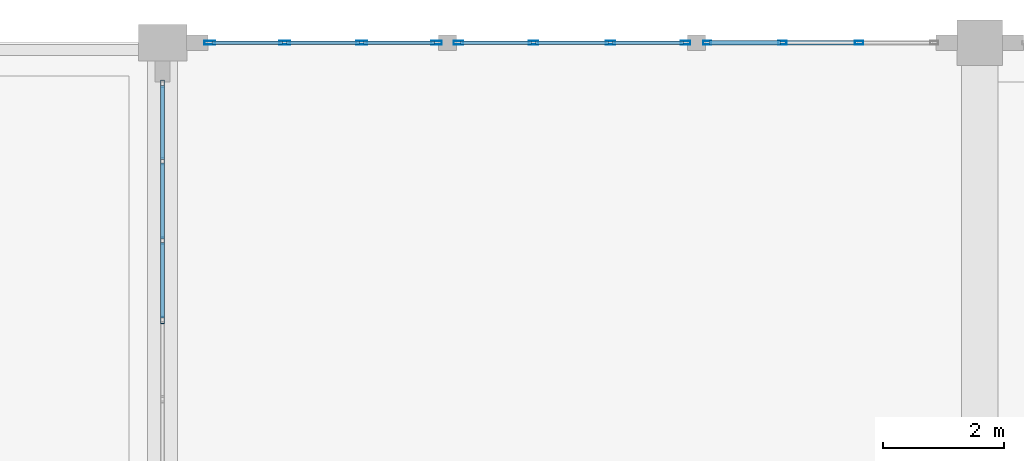
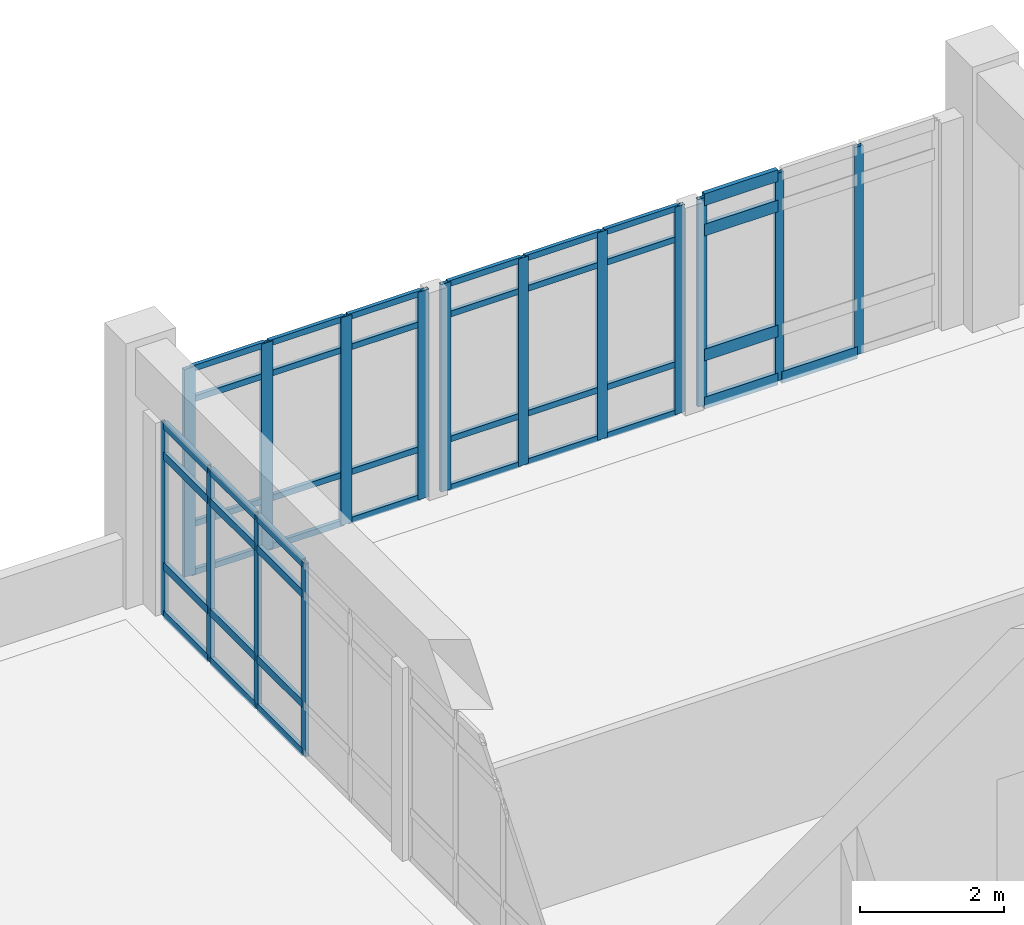
# One storey, part 45 of 109: 56 members, 4 elements without a shape of their own.
"""IFC4 building model written with IfcOpenShell, lengths in metres."""

from ifc_helpers import new_model, si_unit, direction, frame, origin, origin_2d, place, context, subcontext, project, spatial, hollow_rectangle, extrude, material, layer, layer_set, material_profile, profile_set, type_object, element, aggregate, save


model = new_model("IFC4")

# Units and contexts
model_context = context("Model", 3, precision=1e-05, world=origin(), true_north=direction((0.0, 1.0)))
body_context = subcontext(model_context, "Body", "Model", "MODEL_VIEW")
ifc_project = project(units=[si_unit("LENGTHUNIT", "METRE"), si_unit("AREAUNIT", "SQUARE_METRE"), si_unit("VOLUMEUNIT", "CUBIC_METRE"), si_unit("PLANEANGLEUNIT", "RADIAN"), si_unit("MASSUNIT", "GRAM", prefix="KILO")], contexts=[model_context])

# Site, building, storey
site_placement = place(None, origin())
site = spatial("IfcSite", under=ifc_project, at=site_placement, CompositionType="ELEMENT")
building_placement = place(site_placement, origin())
building = spatial("IfcBuilding", under=site, at=building_placement, Name="Fikremerkos Civic Library", CompositionType="ELEMENT")
storey_placement = place(building_placement, frame((0.0, 0.0, 5.39990234375)))
storey = spatial("IfcBuildingStorey", under=building, at=storey_placement, Name="L01", CompositionType="ELEMENT", Elevation=5.39990234375)

# Curtain wall, members
ifc_material = material(Name="Anodized aluminium Frame", Category="aluminium")
ifc_layer_1 = layer(ifc_material, 0.159912109375, Name="Anodized aluminium Frame")
ifc_layer_set_1 = layer_set([ifc_layer_1], Name="Anodized aluminium Frame")
curtain_wall_type_1 = type_object("IfcCurtainWallType", Name="Unitised curtain wall CW-05 3800x4100", PredefinedType="USERDEFINED", material=ifc_layer_set_1)
curtain_wall_1_placement = place(storey_placement, origin())
curtain_wall_1 = element("IfcCurtainWall", 1, at=curtain_wall_1_placement, inside=storey, type_object=curtain_wall_type_1, Name="Unitised curtain wall CW-05 L01 #131", ObjectType="UNITISED CURTAIN WALL", PredefinedType="USERDEFINED")
ifc_material_profile_1 = material_profile(ifc_material, hollow_rectangle(XDim=0.06494140625, YDim=0.179931640625, WallThickness=0.00439453125, at=origin_2d()), Name="ALU 180x65x4.5")
ifc_profile_set_1 = profile_set([ifc_material_profile_1], Name="Anodized aluminium Frame")
member_type_1 = type_object("IfcMemberType", Name="Curtain mullion CWM-01 ALU 180x65x4.5", PredefinedType="MULLION", material=ifc_profile_set_1)
member_1_placement = place(storey_placement, frame((73.98046875, 117.60009765625, 0.0), z_axis=(0.0, 0.0, 1.0), x_axis=(0.0, 1.0, 0.0)))
member_1 = element("IfcMember", 2, at=member_1_placement, type_object=member_type_1, Name="CW-05 mullion 1", PredefinedType="MULLION", context=body_context, shape_type="SweptSolid", body=[
    extrude(hollow_rectangle(XDim=0.06494140625, YDim=0.179931640625, WallThickness=0.00439453125, at=origin_2d()), origin(), (0.0, 0.0, 1.0), 3.517333984375),
])
member_2_placement = place(storey_placement, frame((75.2177734375, 117.60009765625, 0.0), z_axis=(0.0, 0.0, 1.0), x_axis=(0.0, 1.0, 0.0)))
member_2 = element("IfcMember", 3, at=member_2_placement, type_object=member_type_1, Name="CW-05 mullion 2", PredefinedType="MULLION", context=body_context, shape_type="SweptSolid", body=[
    extrude(hollow_rectangle(XDim=0.06494140625, YDim=0.179931640625, WallThickness=0.00439453125, at=origin_2d()), origin(), (0.0, 0.0, 1.0), 3.517333984375),
])
member_3_placement = place(storey_placement, frame((76.48779296875, 117.60009765625, 0.0), z_axis=(0.0, 0.0, 1.0), x_axis=(0.0, 1.0, 0.0)))
member_3 = element("IfcMember", 4, at=member_3_placement, type_object=member_type_1, Name="CW-05 mullion 3", PredefinedType="MULLION", context=body_context, shape_type="SweptSolid", body=[
    extrude(hollow_rectangle(XDim=0.06494140625, YDim=0.179931640625, WallThickness=0.00439453125, at=origin_2d()), origin(), (0.0, 0.0, 1.0), 3.517333984375),
])
member_4_placement = place(storey_placement, frame((77.72509765625, 117.60009765625, 0.0), z_axis=(0.0, 0.0, 1.0), x_axis=(0.0, 1.0, 0.0)))
member_4 = element("IfcMember", 5, at=member_4_placement, type_object=member_type_1, Name="CW-05 mullion 4", PredefinedType="MULLION", context=body_context, shape_type="SweptSolid", body=[
    extrude(hollow_rectangle(XDim=0.06494140625, YDim=0.179931640625, WallThickness=0.00439453125, at=origin_2d()), origin(), (0.0, 0.0, 1.0), 3.517333984375),
])

ifc_layer_2 = layer(ifc_material, 0.159912109375, Name="Anodized aluminium Frame")
ifc_layer_set_2 = layer_set([ifc_layer_2], Name="Anodized aluminium Frame")
curtain_wall_type_2 = type_object("IfcCurtainWallType", Name="Unitised curtain wall CW-06 4200x4100", PredefinedType="USERDEFINED", material=ifc_layer_set_2)
curtain_wall_2_placement = place(storey_placement, origin())
curtain_wall_2 = element("IfcCurtainWall", 6, at=curtain_wall_2_placement, inside=storey, type_object=curtain_wall_type_2, Name="Unitised curtain wall CW-06 L01 #132", ObjectType="UNITISED CURTAIN WALL", PredefinedType="USERDEFINED")
ifc_material_profile_2 = material_profile(ifc_material, hollow_rectangle(XDim=0.06005859375, YDim=0.159912109375, WallThickness=0.00390625, at=origin_2d()), Name="ALU 160x60x4")
ifc_profile_set_2 = profile_set([ifc_material_profile_2], Name="Anodized aluminium Frame")
member_type_2 = type_object("IfcMemberType", Name="Curtain mullion CWM-02 ALU 160x60x4", PredefinedType="MULLION", material=ifc_profile_set_2)
member_5_placement = place(storey_placement, frame((78.087646484375, 117.60009765625, 0.0), z_axis=(0.0, 0.0, 1.0), x_axis=(0.0, 1.0, 0.0)))
member_5 = element("IfcMember", 7, at=member_5_placement, type_object=member_type_2, Name="CW-06 mullion 1", PredefinedType="MULLION", context=body_context, shape_type="SweptSolid", body=[
    extrude(hollow_rectangle(XDim=0.06005859375, YDim=0.159912109375, WallThickness=0.00390625, at=origin_2d()), origin(), (0.0, 0.0, 1.0), 3.517333984375),
])
member_6_placement = place(storey_placement, frame((79.32763671875, 117.60009765625, 0.0), z_axis=(0.0, 0.0, 1.0), x_axis=(0.0, 1.0, 0.0)))
member_6 = element("IfcMember", 8, at=member_6_placement, type_object=member_type_2, Name="CW-06 mullion 2", PredefinedType="MULLION", context=body_context, shape_type="SweptSolid", body=[
    extrude(hollow_rectangle(XDim=0.06005859375, YDim=0.159912109375, WallThickness=0.00390625, at=origin_2d()), origin(), (0.0, 0.0, 1.0), 3.517333984375),
])
member_7_placement = place(storey_placement, frame((80.597412109375, 117.60009765625, 0.0), z_axis=(0.0, 0.0, 1.0), x_axis=(0.0, 1.0, 0.0)))
member_7 = element("IfcMember", 9, at=member_7_placement, type_object=member_type_2, Name="CW-06 mullion 3", PredefinedType="MULLION", context=body_context, shape_type="SweptSolid", body=[
    extrude(hollow_rectangle(XDim=0.06005859375, YDim=0.159912109375, WallThickness=0.00390625, at=origin_2d()), origin(), (0.0, 0.0, 1.0), 3.517333984375),
])
member_8_placement = place(storey_placement, frame((81.83740234375, 117.60009765625, 0.0), z_axis=(0.0, 0.0, 1.0), x_axis=(0.0, 1.0, 0.0)))
member_8 = element("IfcMember", 10, at=member_8_placement, type_object=member_type_2, Name="CW-06 mullion 4", PredefinedType="MULLION", context=body_context, shape_type="SweptSolid", body=[
    extrude(hollow_rectangle(XDim=0.06005859375, YDim=0.159912109375, WallThickness=0.00390625, at=origin_2d()), origin(), (0.0, 0.0, 1.0), 3.517333984375),
])

ifc_layer_3 = layer(ifc_material, 0.159912109375, Name="Anodized aluminium Frame")
ifc_layer_set_3 = layer_set([ifc_layer_3], Name="Anodized aluminium Frame")
curtain_wall_type_3 = type_object("IfcCurtainWallType", Name="Unitised curtain wall CW-07 3500x4100", PredefinedType="USERDEFINED", material=ifc_layer_set_3)
curtain_wall_3_placement = place(storey_placement, origin())
curtain_wall_3 = element("IfcCurtainWall", 11, at=curtain_wall_3_placement, inside=storey, type_object=curtain_wall_type_3, Name="Unitised curtain wall CW-07 L01 #133", ObjectType="UNITISED CURTAIN WALL", PredefinedType="USERDEFINED")
ifc_material_profile_3 = material_profile(ifc_material, hollow_rectangle(XDim=0.06005859375, YDim=0.139892578125, WallThickness=0.00390625, at=origin_2d()), Name="ALU 140x60x4")
ifc_profile_set_3 = profile_set([ifc_material_profile_3], Name="Anodized aluminium Frame")
member_type_3 = type_object("IfcMemberType", Name="Curtain mullion CWM-03 ALU 140x60x4", PredefinedType="MULLION", material=ifc_profile_set_3)
member_9_placement = place(storey_placement, frame((82.197265625, 117.60009765625, 0.0), z_axis=(0.0, 0.0, 1.0), x_axis=(0.0, 1.0, 0.0)))
member_9 = element("IfcMember", 12, at=member_9_placement, type_object=member_type_3, Name="CW-07 mullion 1", PredefinedType="MULLION", context=body_context, shape_type="SweptSolid", body=[
    extrude(hollow_rectangle(XDim=0.06005859375, YDim=0.139892578125, WallThickness=0.00390625, at=origin_2d()), origin(), (0.0, 0.0, 1.0), 3.517333984375),
])
member_10_placement = place(storey_placement, frame((83.437255859375, 117.60009765625, 0.0), z_axis=(0.0, 0.0, 1.0), x_axis=(0.0, 1.0, 0.0)))
member_10 = element("IfcMember", 13, at=member_10_placement, type_object=member_type_3, Name="CW-07 mullion 2", PredefinedType="MULLION", context=body_context, shape_type="SweptSolid", body=[
    extrude(hollow_rectangle(XDim=0.06005859375, YDim=0.139892578125, WallThickness=0.00390625, at=origin_2d()), origin(), (0.0, 0.0, 1.0), 3.517333984375),
])
member_11_placement = place(storey_placement, frame((84.70703125, 117.60009765625, 0.0), z_axis=(0.0, 0.0, 1.0), x_axis=(0.0, 1.0, 0.0)))
member_11 = element("IfcMember", 14, at=member_11_placement, type_object=member_type_3, Name="CW-07 mullion 3", PredefinedType="MULLION", context=body_context, shape_type="SweptSolid", body=[
    extrude(hollow_rectangle(XDim=0.06005859375, YDim=0.139892578125, WallThickness=0.00390625, at=origin_2d()), origin(), (0.0, 0.0, 1.0), 3.517333984375),
])

ifc_layer_4 = layer(ifc_material, 0.159912109375, Name="Anodized aluminium Frame")
ifc_layer_set_4 = layer_set([ifc_layer_4], Name="Anodized aluminium Frame")
curtain_wall_type_4 = type_object("IfcCurtainWallType", Name="Unitised curtain wall CW-04 3400x3600", PredefinedType="USERDEFINED", material=ifc_layer_set_4)
curtain_wall_4_placement = place(storey_placement, origin())
curtain_wall_4 = element("IfcCurtainWall", 15, at=curtain_wall_4_placement, inside=storey, type_object=curtain_wall_type_4, Name="Unitised curtain wall CW-04 L01 #130", ObjectType="UNITISED CURTAIN WALL", PredefinedType="USERDEFINED")
ifc_material_profile_4 = material_profile(ifc_material, hollow_rectangle(XDim=0.06005859375, YDim=0.1201171875, WallThickness=0.00390625, at=origin_2d()), Name="ALU 120x60x4")
ifc_profile_set_4 = profile_set([ifc_material_profile_4], Name="Anodized aluminium Frame")
member_type_4 = type_object("IfcMemberType", Name="Curtain mullion CWM-04 ALU 120x60x4", PredefinedType="MULLION", material=ifc_profile_set_4)
member_12_placement = place(storey_placement, frame((73.199951171875, 113.021240234375, 0.0), z_axis=(0.0, 0.0, 1.0), x_axis=(-1.0, 0.0, 0.0)))
member_12 = element("IfcMember", 16, at=member_12_placement, type_object=member_type_4, Name="CW-04 mullion 3", PredefinedType="MULLION", context=body_context, shape_type="SweptSolid", body=[
    extrude(hollow_rectangle(XDim=0.06005859375, YDim=0.1201171875, WallThickness=0.00390625, at=origin_2d()), origin(), (0.0, 0.0, 1.0), 3.27001953125),
])
member_13_placement = place(storey_placement, frame((73.199951171875, 114.33154296875, 0.0), z_axis=(0.0, 0.0, 1.0), x_axis=(-1.0, 0.0, 0.0)))
member_13 = element("IfcMember", 17, at=member_13_placement, type_object=member_type_4, Name="CW-04 mullion 4", PredefinedType="MULLION", context=body_context, shape_type="SweptSolid", body=[
    extrude(hollow_rectangle(XDim=0.06005859375, YDim=0.1201171875, WallThickness=0.00390625, at=origin_2d()), origin(), (0.0, 0.0, 1.0), 3.27001953125),
])
member_14_placement = place(storey_placement, frame((73.199951171875, 115.641845703125, 0.0), z_axis=(0.0, 0.0, 1.0), x_axis=(-1.0, 0.0, 0.0)))
member_14 = element("IfcMember", 18, at=member_14_placement, type_object=member_type_4, Name="CW-04 mullion 5", PredefinedType="MULLION", context=body_context, shape_type="SweptSolid", body=[
    extrude(hollow_rectangle(XDim=0.06005859375, YDim=0.1201171875, WallThickness=0.00390625, at=origin_2d()), origin(), (0.0, 0.0, 1.0), 3.27001953125),
])
member_15_placement = place(storey_placement, frame((73.199951171875, 116.922119140625, 0.0), z_axis=(0.0, 0.0, 1.0), x_axis=(-1.0, 0.0, 0.0)))
member_15 = element("IfcMember", 19, at=member_15_placement, type_object=member_type_4, Name="CW-04 mullion 6", PredefinedType="MULLION", context=body_context, shape_type="SweptSolid", body=[
    extrude(hollow_rectangle(XDim=0.06005859375, YDim=0.1201171875, WallThickness=0.00390625, at=origin_2d()), origin(), (0.0, 0.0, 1.0), 3.27001953125),
])
ifc_material_profile_5 = material_profile(ifc_material, hollow_rectangle(XDim=0.06494140625, YDim=0.135009765625, WallThickness=0.00439453125, at=origin_2d()), Name="ALU 135x65x4.5")
ifc_profile_set_5 = profile_set([ifc_material_profile_5], Name="Anodized aluminium Frame")
member_type_5 = type_object("IfcMemberType", Name="Curtain transom CWT-02 ALU 135x65x4.5", PredefinedType="USERDEFINED", material=ifc_profile_set_5)
member_16_placement = place(storey_placement, frame((73.199951171875, 113.05126953125, 0.03271484375), z_axis=(0.0, 1.0, 0.0), x_axis=(-1.0, 0.0, 0.0)))
member_16 = element("IfcMember", 20, at=member_16_placement, type_object=member_type_5, Name="CW-04 transom 3.1", ObjectType="TRANSOM", PredefinedType="USERDEFINED", context=body_context, shape_type="SweptSolid", body=[
    extrude(hollow_rectangle(XDim=0.06494140625, YDim=0.135009765625, WallThickness=0.00439453125, at=origin_2d()), origin(), (0.0, 0.0, 1.0), 1.250244140625),
])
member_17_placement = place(storey_placement, frame((73.199951171875, 113.05126953125, 0.85009765625), z_axis=(0.0, 1.0, 0.0), x_axis=(-1.0, 0.0, 0.0)))
member_17 = element("IfcMember", 21, at=member_17_placement, type_object=member_type_5, Name="CW-04 transom 3.2", ObjectType="TRANSOM", PredefinedType="USERDEFINED", context=body_context, shape_type="SweptSolid", body=[
    extrude(hollow_rectangle(XDim=0.06494140625, YDim=0.135009765625, WallThickness=0.00439453125, at=origin_2d()), origin(), (0.0, 0.0, 1.0), 1.250244140625),
])
member_18_placement = place(storey_placement, frame((73.199951171875, 113.05126953125, 2.72021484375), z_axis=(0.0, 1.0, 0.0), x_axis=(-1.0, 0.0, 0.0)))
member_18 = element("IfcMember", 22, at=member_18_placement, type_object=member_type_5, Name="CW-04 transom 3.3", ObjectType="TRANSOM", PredefinedType="USERDEFINED", context=body_context, shape_type="SweptSolid", body=[
    extrude(hollow_rectangle(XDim=0.06494140625, YDim=0.135009765625, WallThickness=0.00439453125, at=origin_2d()), origin(), (0.0, 0.0, 1.0), 1.250244140625),
])
member_19_placement = place(storey_placement, frame((73.199951171875, 113.05126953125, 3.237548828125), z_axis=(0.0, 1.0, 0.0), x_axis=(-1.0, 0.0, 0.0)))
member_19 = element("IfcMember", 23, at=member_19_placement, type_object=member_type_5, Name="CW-04 transom 3.4", ObjectType="TRANSOM", PredefinedType="USERDEFINED", context=body_context, shape_type="SweptSolid", body=[
    extrude(hollow_rectangle(XDim=0.06494140625, YDim=0.135009765625, WallThickness=0.00439453125, at=origin_2d()), origin(), (0.0, 0.0, 1.0), 1.250244140625),
])
member_20_placement = place(storey_placement, frame((73.199951171875, 114.361572265625, 0.03271484375), z_axis=(0.0, 1.0, 0.0), x_axis=(-1.0, 0.0, 0.0)))
member_20 = element("IfcMember", 24, at=member_20_placement, type_object=member_type_5, Name="CW-04 transom 4.1", ObjectType="TRANSOM", PredefinedType="USERDEFINED", context=body_context, shape_type="SweptSolid", body=[
    extrude(hollow_rectangle(XDim=0.06494140625, YDim=0.135009765625, WallThickness=0.00439453125, at=origin_2d()), origin(), (0.0, 0.0, 1.0), 1.250244140625),
])
member_21_placement = place(storey_placement, frame((73.199951171875, 114.361572265625, 0.85009765625), z_axis=(0.0, 1.0, 0.0), x_axis=(-1.0, 0.0, 0.0)))
member_21 = element("IfcMember", 25, at=member_21_placement, type_object=member_type_5, Name="CW-04 transom 4.2", ObjectType="TRANSOM", PredefinedType="USERDEFINED", context=body_context, shape_type="SweptSolid", body=[
    extrude(hollow_rectangle(XDim=0.06494140625, YDim=0.135009765625, WallThickness=0.00439453125, at=origin_2d()), origin(), (0.0, 0.0, 1.0), 1.250244140625),
])
member_22_placement = place(storey_placement, frame((73.199951171875, 114.361572265625, 2.72021484375), z_axis=(0.0, 1.0, 0.0), x_axis=(-1.0, 0.0, 0.0)))
member_22 = element("IfcMember", 26, at=member_22_placement, type_object=member_type_5, Name="CW-04 transom 4.3", ObjectType="TRANSOM", PredefinedType="USERDEFINED", context=body_context, shape_type="SweptSolid", body=[
    extrude(hollow_rectangle(XDim=0.06494140625, YDim=0.135009765625, WallThickness=0.00439453125, at=origin_2d()), origin(), (0.0, 0.0, 1.0), 1.250244140625),
])
member_23_placement = place(storey_placement, frame((73.199951171875, 114.361572265625, 3.237548828125), z_axis=(0.0, 1.0, 0.0), x_axis=(-1.0, 0.0, 0.0)))
member_23 = element("IfcMember", 27, at=member_23_placement, type_object=member_type_5, Name="CW-04 transom 4.4", ObjectType="TRANSOM", PredefinedType="USERDEFINED", context=body_context, shape_type="SweptSolid", body=[
    extrude(hollow_rectangle(XDim=0.06494140625, YDim=0.135009765625, WallThickness=0.00439453125, at=origin_2d()), origin(), (0.0, 0.0, 1.0), 1.250244140625),
])
member_24_placement = place(storey_placement, frame((73.199951171875, 115.671630859375, 0.03271484375), z_axis=(0.0, 1.0, 0.0), x_axis=(-1.0, 0.0, 0.0)))
member_24 = element("IfcMember", 28, at=member_24_placement, type_object=member_type_5, Name="CW-04 transom 5.1", ObjectType="TRANSOM", PredefinedType="USERDEFINED", context=body_context, shape_type="SweptSolid", body=[
    extrude(hollow_rectangle(XDim=0.06494140625, YDim=0.135009765625, WallThickness=0.00439453125, at=origin_2d()), origin(), (0.0, 0.0, 1.0), 1.220458984375),
])
member_25_placement = place(storey_placement, frame((73.199951171875, 115.671630859375, 0.85009765625), z_axis=(0.0, 1.0, 0.0), x_axis=(-1.0, 0.0, 0.0)))
member_25 = element("IfcMember", 29, at=member_25_placement, type_object=member_type_5, Name="CW-04 transom 5.2", ObjectType="TRANSOM", PredefinedType="USERDEFINED", context=body_context, shape_type="SweptSolid", body=[
    extrude(hollow_rectangle(XDim=0.06494140625, YDim=0.135009765625, WallThickness=0.00439453125, at=origin_2d()), origin(), (0.0, 0.0, 1.0), 1.220458984375),
])
member_26_placement = place(storey_placement, frame((73.199951171875, 115.671630859375, 2.72021484375), z_axis=(0.0, 1.0, 0.0), x_axis=(-1.0, 0.0, 0.0)))
member_26 = element("IfcMember", 30, at=member_26_placement, type_object=member_type_5, Name="CW-04 transom 5.3", ObjectType="TRANSOM", PredefinedType="USERDEFINED", context=body_context, shape_type="SweptSolid", body=[
    extrude(hollow_rectangle(XDim=0.06494140625, YDim=0.135009765625, WallThickness=0.00439453125, at=origin_2d()), origin(), (0.0, 0.0, 1.0), 1.220458984375),
])
member_27_placement = place(storey_placement, frame((73.199951171875, 115.671630859375, 3.237548828125), z_axis=(0.0, 1.0, 0.0), x_axis=(-1.0, 0.0, 0.0)))
member_27 = element("IfcMember", 31, at=member_27_placement, type_object=member_type_5, Name="CW-04 transom 5.4", ObjectType="TRANSOM", PredefinedType="USERDEFINED", context=body_context, shape_type="SweptSolid", body=[
    extrude(hollow_rectangle(XDim=0.06494140625, YDim=0.135009765625, WallThickness=0.00439453125, at=origin_2d()), origin(), (0.0, 0.0, 1.0), 1.220458984375),
])
aggregate(curtain_wall_4, [member_12, member_13, member_14, member_15, member_16, member_17, member_18, member_19, member_20, member_21, member_22, member_23, member_24, member_25, member_26, member_27])

# Member
ifc_material_profile_6 = material_profile(ifc_material, hollow_rectangle(XDim=0.06005859375, YDim=0.10009765625, WallThickness=0.00390625, at=origin_2d()), Name="ALU 100x60x4")
ifc_profile_set_6 = profile_set([ifc_material_profile_6], Name="Anodized aluminium Frame")
member_type_6 = type_object("IfcMemberType", Name="Curtain transom CWT-03 ALU 100x60x4", PredefinedType="USERDEFINED", material=ifc_profile_set_6)
member_28_placement = place(storey_placement, frame((74.012939453125, 117.60009765625, 0.030029296875), z_axis=(1.0, 0.0, 0.0), x_axis=(0.0, 1.0, 0.0)))
member_28 = element("IfcMember", 32, at=member_28_placement, type_object=member_type_6, Name="CW-05 transom 1.1", ObjectType="TRANSOM", PredefinedType="USERDEFINED", context=body_context, shape_type="SweptSolid", body=[
    extrude(hollow_rectangle(XDim=0.06005859375, YDim=0.10009765625, WallThickness=0.00390625, at=origin_2d()), origin(), (0.0, 0.0, 1.0), 1.17236328125),
])

member_29_placement = place(storey_placement, frame((74.012939453125, 117.60009765625, 0.85009765625), z_axis=(1.0, 0.0, 0.0), x_axis=(0.0, 1.0, 0.0)))
member_29 = element("IfcMember", 33, at=member_29_placement, type_object=member_type_6, Name="CW-05 transom 1.2", ObjectType="TRANSOM", PredefinedType="USERDEFINED", context=body_context, shape_type="SweptSolid", body=[
    extrude(hollow_rectangle(XDim=0.06005859375, YDim=0.10009765625, WallThickness=0.00390625, at=origin_2d()), origin(), (0.0, 0.0, 1.0), 1.17236328125),
])

member_30_placement = place(storey_placement, frame((74.012939453125, 117.60009765625, 2.96728515625), z_axis=(1.0, 0.0, 0.0), x_axis=(0.0, 1.0, 0.0)))
member_30 = element("IfcMember", 34, at=member_30_placement, type_object=member_type_6, Name="CW-05 transom 1.3", ObjectType="TRANSOM", PredefinedType="USERDEFINED", context=body_context, shape_type="SweptSolid", body=[
    extrude(hollow_rectangle(XDim=0.06005859375, YDim=0.10009765625, WallThickness=0.00390625, at=origin_2d()), origin(), (0.0, 0.0, 1.0), 1.17236328125),
])

member_31_placement = place(storey_placement, frame((74.012939453125, 117.60009765625, 3.4873046875), z_axis=(1.0, 0.0, 0.0), x_axis=(0.0, 1.0, 0.0)))
member_31 = element("IfcMember", 35, at=member_31_placement, type_object=member_type_6, Name="CW-05 transom 1.4", ObjectType="TRANSOM", PredefinedType="USERDEFINED", context=body_context, shape_type="SweptSolid", body=[
    extrude(hollow_rectangle(XDim=0.06005859375, YDim=0.10009765625, WallThickness=0.00390625, at=origin_2d()), origin(), (0.0, 0.0, 1.0), 1.17236328125),
])

member_32_placement = place(storey_placement, frame((75.25048828125, 117.60009765625, 0.030029296875), z_axis=(1.0, 0.0, 0.0), x_axis=(0.0, 1.0, 0.0)))
member_32 = element("IfcMember", 36, at=member_32_placement, type_object=member_type_6, Name="CW-05 transom 2.1", ObjectType="TRANSOM", PredefinedType="USERDEFINED", context=body_context, shape_type="SweptSolid", body=[
    extrude(hollow_rectangle(XDim=0.06005859375, YDim=0.10009765625, WallThickness=0.00390625, at=origin_2d()), origin(), (0.0, 0.0, 1.0), 1.204833984375),
])

member_33_placement = place(storey_placement, frame((75.25048828125, 117.60009765625, 0.85009765625), z_axis=(1.0, 0.0, 0.0), x_axis=(0.0, 1.0, 0.0)))
member_33 = element("IfcMember", 37, at=member_33_placement, type_object=member_type_6, Name="CW-05 transom 2.2", ObjectType="TRANSOM", PredefinedType="USERDEFINED", context=body_context, shape_type="SweptSolid", body=[
    extrude(hollow_rectangle(XDim=0.06005859375, YDim=0.10009765625, WallThickness=0.00390625, at=origin_2d()), origin(), (0.0, 0.0, 1.0), 1.204833984375),
])

member_34_placement = place(storey_placement, frame((75.25048828125, 117.60009765625, 2.96728515625), z_axis=(1.0, 0.0, 0.0), x_axis=(0.0, 1.0, 0.0)))
member_34 = element("IfcMember", 38, at=member_34_placement, type_object=member_type_6, Name="CW-05 transom 2.3", ObjectType="TRANSOM", PredefinedType="USERDEFINED", context=body_context, shape_type="SweptSolid", body=[
    extrude(hollow_rectangle(XDim=0.06005859375, YDim=0.10009765625, WallThickness=0.00390625, at=origin_2d()), origin(), (0.0, 0.0, 1.0), 1.204833984375),
])

member_35_placement = place(storey_placement, frame((75.25048828125, 117.60009765625, 3.4873046875), z_axis=(1.0, 0.0, 0.0), x_axis=(0.0, 1.0, 0.0)))
member_35 = element("IfcMember", 39, at=member_35_placement, type_object=member_type_6, Name="CW-05 transom 2.4", ObjectType="TRANSOM", PredefinedType="USERDEFINED", context=body_context, shape_type="SweptSolid", body=[
    extrude(hollow_rectangle(XDim=0.06005859375, YDim=0.10009765625, WallThickness=0.00390625, at=origin_2d()), origin(), (0.0, 0.0, 1.0), 1.204833984375),
])

member_36_placement = place(storey_placement, frame((76.520263671875, 117.60009765625, 0.030029296875), z_axis=(1.0, 0.0, 0.0), x_axis=(0.0, 1.0, 0.0)))
member_36 = element("IfcMember", 40, at=member_36_placement, type_object=member_type_6, Name="CW-05 transom 3.1", ObjectType="TRANSOM", PredefinedType="USERDEFINED", context=body_context, shape_type="SweptSolid", body=[
    extrude(hollow_rectangle(XDim=0.06005859375, YDim=0.10009765625, WallThickness=0.00390625, at=origin_2d()), origin(), (0.0, 0.0, 1.0), 1.17236328125),
])

member_37_placement = place(storey_placement, frame((76.520263671875, 117.60009765625, 0.85009765625), z_axis=(1.0, 0.0, 0.0), x_axis=(0.0, 1.0, 0.0)))
member_37 = element("IfcMember", 41, at=member_37_placement, type_object=member_type_6, Name="CW-05 transom 3.2", ObjectType="TRANSOM", PredefinedType="USERDEFINED", context=body_context, shape_type="SweptSolid", body=[
    extrude(hollow_rectangle(XDim=0.06005859375, YDim=0.10009765625, WallThickness=0.00390625, at=origin_2d()), origin(), (0.0, 0.0, 1.0), 1.17236328125),
])

member_38_placement = place(storey_placement, frame((76.520263671875, 117.60009765625, 2.96728515625), z_axis=(1.0, 0.0, 0.0), x_axis=(0.0, 1.0, 0.0)))
member_38 = element("IfcMember", 42, at=member_38_placement, type_object=member_type_6, Name="CW-05 transom 3.3", ObjectType="TRANSOM", PredefinedType="USERDEFINED", context=body_context, shape_type="SweptSolid", body=[
    extrude(hollow_rectangle(XDim=0.06005859375, YDim=0.10009765625, WallThickness=0.00390625, at=origin_2d()), origin(), (0.0, 0.0, 1.0), 1.17236328125),
])

member_39_placement = place(storey_placement, frame((76.520263671875, 117.60009765625, 3.4873046875), z_axis=(1.0, 0.0, 0.0), x_axis=(0.0, 1.0, 0.0)))
member_39 = element("IfcMember", 43, at=member_39_placement, type_object=member_type_6, Name="CW-05 transom 3.4", ObjectType="TRANSOM", PredefinedType="USERDEFINED", context=body_context, shape_type="SweptSolid", body=[
    extrude(hollow_rectangle(XDim=0.06005859375, YDim=0.10009765625, WallThickness=0.00390625, at=origin_2d()), origin(), (0.0, 0.0, 1.0), 1.17236328125),
])

aggregate(curtain_wall_1, [member_1, member_2, member_3, member_4, member_28, member_29, member_30, member_31, member_32, member_33, member_34, member_35, member_36, member_37, member_38, member_39])

member_40_placement = place(storey_placement, frame((78.11767578125, 117.60009765625, 0.030029296875), z_axis=(1.0, 0.0, 0.0), x_axis=(0.0, 1.0, 0.0)))
member_40 = element("IfcMember", 44, at=member_40_placement, type_object=member_type_6, Name="CW-06 transom 1.1", ObjectType="TRANSOM", PredefinedType="USERDEFINED", context=body_context, shape_type="SweptSolid", body=[
    extrude(hollow_rectangle(XDim=0.06005859375, YDim=0.10009765625, WallThickness=0.00390625, at=origin_2d()), origin(), (0.0, 0.0, 1.0), 1.179931640625),
])

member_41_placement = place(storey_placement, frame((78.11767578125, 117.60009765625, 0.85009765625), z_axis=(1.0, 0.0, 0.0), x_axis=(0.0, 1.0, 0.0)))
member_41 = element("IfcMember", 45, at=member_41_placement, type_object=member_type_6, Name="CW-06 transom 1.2", ObjectType="TRANSOM", PredefinedType="USERDEFINED", context=body_context, shape_type="SweptSolid", body=[
    extrude(hollow_rectangle(XDim=0.06005859375, YDim=0.10009765625, WallThickness=0.00390625, at=origin_2d()), origin(), (0.0, 0.0, 1.0), 1.179931640625),
])

member_42_placement = place(storey_placement, frame((78.11767578125, 117.60009765625, 2.96728515625), z_axis=(1.0, 0.0, 0.0), x_axis=(0.0, 1.0, 0.0)))
member_42 = element("IfcMember", 46, at=member_42_placement, type_object=member_type_6, Name="CW-06 transom 1.3", ObjectType="TRANSOM", PredefinedType="USERDEFINED", context=body_context, shape_type="SweptSolid", body=[
    extrude(hollow_rectangle(XDim=0.06005859375, YDim=0.10009765625, WallThickness=0.00390625, at=origin_2d()), origin(), (0.0, 0.0, 1.0), 1.179931640625),
])

member_43_placement = place(storey_placement, frame((78.11767578125, 117.60009765625, 3.4873046875), z_axis=(1.0, 0.0, 0.0), x_axis=(0.0, 1.0, 0.0)))
member_43 = element("IfcMember", 47, at=member_43_placement, type_object=member_type_6, Name="CW-06 transom 1.4", ObjectType="TRANSOM", PredefinedType="USERDEFINED", context=body_context, shape_type="SweptSolid", body=[
    extrude(hollow_rectangle(XDim=0.06005859375, YDim=0.10009765625, WallThickness=0.00390625, at=origin_2d()), origin(), (0.0, 0.0, 1.0), 1.179931640625),
])

member_44_placement = place(storey_placement, frame((79.357666015625, 117.60009765625, 0.030029296875), z_axis=(1.0, 0.0, 0.0), x_axis=(0.0, 1.0, 0.0)))
member_44 = element("IfcMember", 48, at=member_44_placement, type_object=member_type_6, Name="CW-06 transom 2.1", ObjectType="TRANSOM", PredefinedType="USERDEFINED", context=body_context, shape_type="SweptSolid", body=[
    extrude(hollow_rectangle(XDim=0.06005859375, YDim=0.10009765625, WallThickness=0.00390625, at=origin_2d()), origin(), (0.0, 0.0, 1.0), 1.209716796875),
])

member_45_placement = place(storey_placement, frame((79.357666015625, 117.60009765625, 0.85009765625), z_axis=(1.0, 0.0, 0.0), x_axis=(0.0, 1.0, 0.0)))
member_45 = element("IfcMember", 49, at=member_45_placement, type_object=member_type_6, Name="CW-06 transom 2.2", ObjectType="TRANSOM", PredefinedType="USERDEFINED", context=body_context, shape_type="SweptSolid", body=[
    extrude(hollow_rectangle(XDim=0.06005859375, YDim=0.10009765625, WallThickness=0.00390625, at=origin_2d()), origin(), (0.0, 0.0, 1.0), 1.209716796875),
])

member_46_placement = place(storey_placement, frame((79.357666015625, 117.60009765625, 2.96728515625), z_axis=(1.0, 0.0, 0.0), x_axis=(0.0, 1.0, 0.0)))
member_46 = element("IfcMember", 50, at=member_46_placement, type_object=member_type_6, Name="CW-06 transom 2.3", ObjectType="TRANSOM", PredefinedType="USERDEFINED", context=body_context, shape_type="SweptSolid", body=[
    extrude(hollow_rectangle(XDim=0.06005859375, YDim=0.10009765625, WallThickness=0.00390625, at=origin_2d()), origin(), (0.0, 0.0, 1.0), 1.209716796875),
])

member_47_placement = place(storey_placement, frame((79.357666015625, 117.60009765625, 3.4873046875), z_axis=(1.0, 0.0, 0.0), x_axis=(0.0, 1.0, 0.0)))
member_47 = element("IfcMember", 51, at=member_47_placement, type_object=member_type_6, Name="CW-06 transom 2.4", ObjectType="TRANSOM", PredefinedType="USERDEFINED", context=body_context, shape_type="SweptSolid", body=[
    extrude(hollow_rectangle(XDim=0.06005859375, YDim=0.10009765625, WallThickness=0.00390625, at=origin_2d()), origin(), (0.0, 0.0, 1.0), 1.209716796875),
])

member_48_placement = place(storey_placement, frame((80.62744140625, 117.60009765625, 0.030029296875), z_axis=(1.0, 0.0, 0.0), x_axis=(0.0, 1.0, 0.0)))
member_48 = element("IfcMember", 52, at=member_48_placement, type_object=member_type_6, Name="CW-06 transom 3.1", ObjectType="TRANSOM", PredefinedType="USERDEFINED", context=body_context, shape_type="SweptSolid", body=[
    extrude(hollow_rectangle(XDim=0.06005859375, YDim=0.10009765625, WallThickness=0.00390625, at=origin_2d()), origin(), (0.0, 0.0, 1.0), 1.179931640625),
])

member_49_placement = place(storey_placement, frame((80.62744140625, 117.60009765625, 0.85009765625), z_axis=(1.0, 0.0, 0.0), x_axis=(0.0, 1.0, 0.0)))
member_49 = element("IfcMember", 53, at=member_49_placement, type_object=member_type_6, Name="CW-06 transom 3.2", ObjectType="TRANSOM", PredefinedType="USERDEFINED", context=body_context, shape_type="SweptSolid", body=[
    extrude(hollow_rectangle(XDim=0.06005859375, YDim=0.10009765625, WallThickness=0.00390625, at=origin_2d()), origin(), (0.0, 0.0, 1.0), 1.179931640625),
])

member_50_placement = place(storey_placement, frame((80.62744140625, 117.60009765625, 2.96728515625), z_axis=(1.0, 0.0, 0.0), x_axis=(0.0, 1.0, 0.0)))
member_50 = element("IfcMember", 54, at=member_50_placement, type_object=member_type_6, Name="CW-06 transom 3.3", ObjectType="TRANSOM", PredefinedType="USERDEFINED", context=body_context, shape_type="SweptSolid", body=[
    extrude(hollow_rectangle(XDim=0.06005859375, YDim=0.10009765625, WallThickness=0.00390625, at=origin_2d()), origin(), (0.0, 0.0, 1.0), 1.179931640625),
])

member_51_placement = place(storey_placement, frame((80.62744140625, 117.60009765625, 3.4873046875), z_axis=(1.0, 0.0, 0.0), x_axis=(0.0, 1.0, 0.0)))
member_51 = element("IfcMember", 55, at=member_51_placement, type_object=member_type_6, Name="CW-06 transom 3.4", ObjectType="TRANSOM", PredefinedType="USERDEFINED", context=body_context, shape_type="SweptSolid", body=[
    extrude(hollow_rectangle(XDim=0.06005859375, YDim=0.10009765625, WallThickness=0.00390625, at=origin_2d()), origin(), (0.0, 0.0, 1.0), 1.179931640625),
])

aggregate(curtain_wall_2, [member_5, member_6, member_7, member_8, member_40, member_41, member_42, member_43, member_44, member_45, member_46, member_47, member_48, member_49, member_50, member_51])

ifc_material_profile_7 = material_profile(ifc_material, hollow_rectangle(XDim=0.070068359375, YDim=0.199951171875, WallThickness=0.0048828125, at=origin_2d()), Name="ALU 200x70x5")
ifc_profile_set_7 = profile_set([ifc_material_profile_7], Name="Anodized aluminium Frame")
member_type_7 = type_object("IfcMemberType", Name="Curtain transom CWT-04 ALU 200x70x5", PredefinedType="USERDEFINED", material=ifc_profile_set_7)
member_52_placement = place(storey_placement, frame((82.227294921875, 117.60009765625, 0.03515625), z_axis=(1.0, 0.0, 0.0), x_axis=(0.0, 1.0, 0.0)))
member_52 = element("IfcMember", 56, at=member_52_placement, type_object=member_type_7, Name="CW-07 transom 1.1", ObjectType="TRANSOM", PredefinedType="USERDEFINED", context=body_context, shape_type="SweptSolid", body=[
    extrude(hollow_rectangle(XDim=0.070068359375, YDim=0.199951171875, WallThickness=0.0048828125, at=origin_2d()), origin(), (0.0, 0.0, 1.0), 1.179931640625),
])

member_53_placement = place(storey_placement, frame((82.227294921875, 117.60009765625, 0.85009765625), z_axis=(1.0, 0.0, 0.0), x_axis=(0.0, 1.0, 0.0)))
member_53 = element("IfcMember", 57, at=member_53_placement, type_object=member_type_7, Name="CW-07 transom 1.2", ObjectType="TRANSOM", PredefinedType="USERDEFINED", context=body_context, shape_type="SweptSolid", body=[
    extrude(hollow_rectangle(XDim=0.070068359375, YDim=0.199951171875, WallThickness=0.0048828125, at=origin_2d()), origin(), (0.0, 0.0, 1.0), 1.179931640625),
])

member_54_placement = place(storey_placement, frame((82.227294921875, 117.60009765625, 2.96728515625), z_axis=(1.0, 0.0, 0.0), x_axis=(0.0, 1.0, 0.0)))
member_54 = element("IfcMember", 58, at=member_54_placement, type_object=member_type_7, Name="CW-07 transom 1.3", ObjectType="TRANSOM", PredefinedType="USERDEFINED", context=body_context, shape_type="SweptSolid", body=[
    extrude(hollow_rectangle(XDim=0.070068359375, YDim=0.199951171875, WallThickness=0.0048828125, at=origin_2d()), origin(), (0.0, 0.0, 1.0), 1.179931640625),
])

member_55_placement = place(storey_placement, frame((82.227294921875, 117.60009765625, 3.482177734375), z_axis=(1.0, 0.0, 0.0), x_axis=(0.0, 1.0, 0.0)))
member_55 = element("IfcMember", 59, at=member_55_placement, type_object=member_type_7, Name="CW-07 transom 1.4", ObjectType="TRANSOM", PredefinedType="USERDEFINED", context=body_context, shape_type="SweptSolid", body=[
    extrude(hollow_rectangle(XDim=0.070068359375, YDim=0.199951171875, WallThickness=0.0048828125, at=origin_2d()), origin(), (0.0, 0.0, 1.0), 1.179931640625),
])

member_56_placement = place(storey_placement, frame((83.46728515625, 117.60009765625, 0.03515625), z_axis=(1.0, 0.0, 0.0), x_axis=(0.0, 1.0, 0.0)))
member_56 = element("IfcMember", 60, at=member_56_placement, type_object=member_type_7, Name="CW-07 transom 2.1", ObjectType="TRANSOM", PredefinedType="USERDEFINED", context=body_context, shape_type="SweptSolid", body=[
    extrude(hollow_rectangle(XDim=0.070068359375, YDim=0.199951171875, WallThickness=0.0048828125, at=origin_2d()), origin(), (0.0, 0.0, 1.0), 1.209716796875),
])

aggregate(curtain_wall_3, [member_9, member_10, member_11, member_52, member_53, member_54, member_55, member_56])

save(model, "model.ifc")
